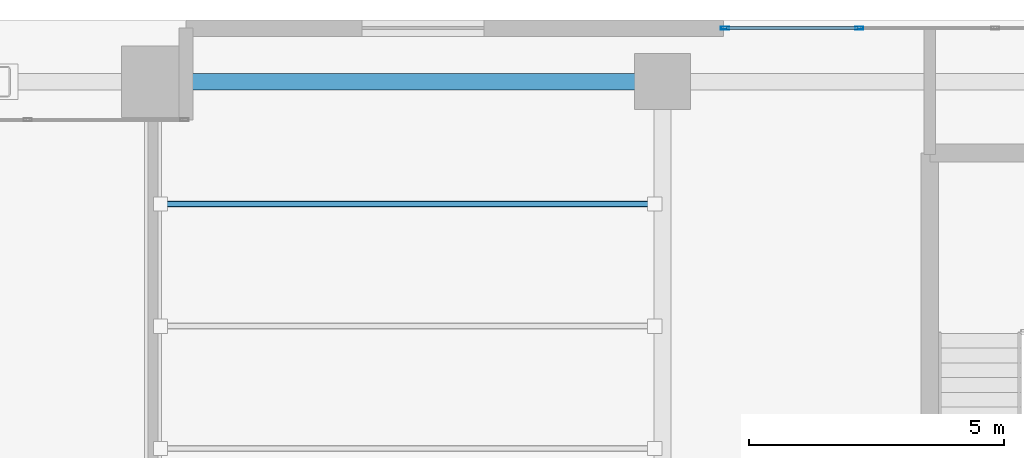
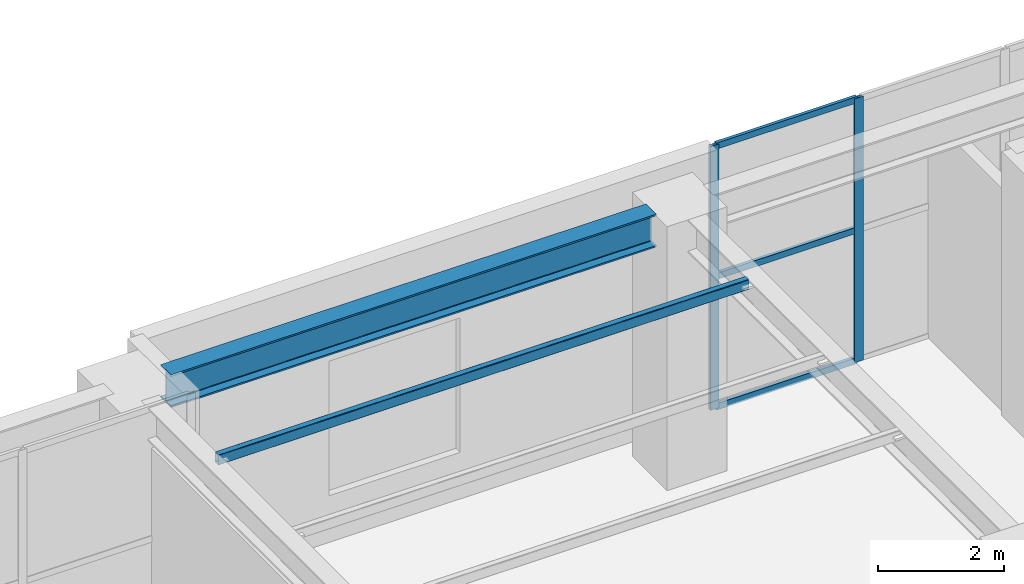
# One storey, part 20 of 32: 6 members, 1 beam, 1 element without a shape of its own.
"""IFC4 building model written with IfcOpenShell, lengths in metres."""

from ifc_helpers import new_model, si_unit, direction, frame, origin, origin_2d, place, context, subcontext, project, spatial, hollow_rectangle, i_section, extrude, material, layer, layer_set, material_profile, profile_set, type_object, element, aggregate, save


model = new_model("IFC4")

# Units and contexts
model_context = context("Model", 3, precision=1e-05, world=origin(), true_north=direction((0.0, 1.0)))
body_context = subcontext(model_context, "Body", "Model", "MODEL_VIEW")
ifc_project = project(units=[si_unit("LENGTHUNIT", "METRE"), si_unit("AREAUNIT", "SQUARE_METRE"), si_unit("VOLUMEUNIT", "CUBIC_METRE"), si_unit("PLANEANGLEUNIT", "RADIAN"), si_unit("MASSUNIT", "GRAM", prefix="KILO")], contexts=[model_context])

# Site, building, storey
site_placement = place(None, origin())
site = spatial("IfcSite", under=ifc_project, at=site_placement, CompositionType="ELEMENT")
building_placement = place(site_placement, origin())
building = spatial("IfcBuilding", under=site, at=building_placement, Name="Sarneth Arch Tower", CompositionType="ELEMENT")
storey_placement = place(building_placement, frame((0.0, 0.0, 11.39990234375)))
storey = spatial("IfcBuildingStorey", under=building, at=storey_placement, Name="L02", CompositionType="ELEMENT", Elevation=11.39990234375)

# Beam
ifc_material_1 = material(Name="Steel S355", Category="steel")
ifc_material_profile_1 = material_profile(ifc_material_1, i_section(OverallWidth=0.3291015625, OverallDepth=0.635009765625, WebThickness=0.017822265625, FlangeThickness=0.031005859375, FilletRadius=0.01904296875, at=origin_2d()), Name="W610x241")
ifc_profile_set_1 = profile_set([ifc_material_profile_1], Name="Steel S355")
beam_type = type_object("IfcBeamType", Name="BM-POD-610", PredefinedType="BEAM", material=ifc_profile_set_1)
beam_placement = place(storey_placement, frame((66.6044921875, 74.800048828125, 4.78271484375), z_axis=(1.0, 0.0, 0.0), x_axis=(0.0, 1.0, 0.0)))
element("IfcBeam", 1, at=beam_placement, inside=storey, type_object=beam_type, Name="L02 Podium PN girder 7", PredefinedType="BEAM", context=body_context, shape_type="SweptSolid", body=[
    extrude(i_section(OverallWidth=0.3291015625, OverallDepth=0.635009765625, WebThickness=0.017822265625, FlangeThickness=0.031005859375, FilletRadius=0.01904296875, at=origin_2d()), origin(), (0.0, 0.0, 1.0), 8.87548828125),
])

# Curtain wall, members
ifc_material_2 = material(Name="Anodised aluminium Type AA25 and solar-control low-e laminated IGU", Category="aluminium")
ifc_layer = layer(ifc_material_2, 0.179931640625)
ifc_layer_set = layer_set([ifc_layer], Name="Anodised aluminium Type AA25 and solar-control low-e laminated IGU")
curtain_wall_type = type_object("IfcCurtainWallType", Name="CW-PODIUM-CHAMF", PredefinedType="NOTDEFINED", material=ifc_layer_set)
curtain_wall_placement = place(storey_placement, origin())
curtain_wall = element("IfcCurtainWall", 2, at=curtain_wall_placement, inside=storey, type_object=curtain_wall_type, Name="L02 Podium bay curtain wall NE", PredefinedType="NOTDEFINED")
ifc_material_3 = material(Name="Anodised Aluminium 6063-T6", Category="aluminium")
ifc_material_profile_2 = material_profile(ifc_material_3, hollow_rectangle(XDim=0.06005859375, YDim=0.159912109375, WallThickness=0.00390625, at=origin_2d()), Name="AL-MULL-160x60x4")
ifc_profile_set_2 = profile_set([ifc_material_profile_2], Name="Anodised Aluminium 6063-T6")
member_type_1 = type_object("IfcMemberType", Name="CW-MULLION", PredefinedType="MULLION", material=ifc_profile_set_2)
member_1_placement = place(storey_placement, frame((79.86669921875, 75.85009765625, 0.0), z_axis=(0.0, 0.0, 1.0), x_axis=(0.0, -1.0, 0.0)))
member_1 = element("IfcMember", 3, at=member_1_placement, type_object=member_type_1, Name="CW-SYS-1 mullion 3", PredefinedType="MULLION", context=body_context, shape_type="SweptSolid", body=[
    extrude(hollow_rectangle(XDim=0.06005859375, YDim=0.159912109375, WallThickness=0.00390625, at=origin_2d()), origin(), (0.0, 0.0, 1.0), 5.10009765625),
])
member_2_placement = place(storey_placement, frame((77.22998046875, 75.85009765625, 0.0), z_axis=(0.0, 0.0, 1.0), x_axis=(0.0, -1.0, 0.0)))
member_2 = element("IfcMember", 4, at=member_2_placement, type_object=member_type_1, Name="CW-SYS-1 mullion 4", PredefinedType="MULLION", context=body_context, shape_type="SweptSolid", body=[
    extrude(hollow_rectangle(XDim=0.06005859375, YDim=0.159912109375, WallThickness=0.00390625, at=origin_2d()), origin(), (0.0, 0.0, 1.0), 5.10009765625),
])
ifc_material_4 = material(Name="Anodised Aluminium 6063-T6", Category="aluminium")
ifc_material_profile_3 = material_profile(ifc_material_4, hollow_rectangle(XDim=0.06005859375, YDim=0.1201171875, WallThickness=0.00390625, at=origin_2d()), Name="AL-TRAN-120x60x4")
ifc_profile_set_3 = profile_set([ifc_material_profile_3], Name="Anodised Aluminium 6063-T6")
member_type_2 = type_object("IfcMemberType", Name="CW-TRANSOM", PredefinedType="USERDEFINED", material=ifc_profile_set_3)
member_3_placement = place(storey_placement, frame((79.836669921875, 75.85009765625, 0.030029296875), z_axis=(-1.0, 0.0, 0.0), x_axis=(0.0, -1.0, 0.0)))
member_3 = element("IfcMember", 5, at=member_3_placement, type_object=member_type_2, Name="CW-SYS-1 transom 3.1", ObjectType="TRANSOM", PredefinedType="USERDEFINED", context=body_context, shape_type="SweptSolid", body=[
    extrude(hollow_rectangle(XDim=0.06005859375, YDim=0.1201171875, WallThickness=0.00390625, at=origin_2d()), origin(), (0.0, 0.0, 1.0), 2.57666015625),
])
member_4_placement = place(storey_placement, frame((79.836669921875, 75.85009765625, 2.550048828125), z_axis=(-1.0, 0.0, 0.0), x_axis=(0.0, -1.0, 0.0)))
member_4 = element("IfcMember", 6, at=member_4_placement, type_object=member_type_2, Name="CW-SYS-1 transom 3.2", ObjectType="TRANSOM", PredefinedType="USERDEFINED", context=body_context, shape_type="SweptSolid", body=[
    extrude(hollow_rectangle(XDim=0.06005859375, YDim=0.1201171875, WallThickness=0.00390625, at=origin_2d()), origin(), (0.0, 0.0, 1.0), 2.57666015625),
])
member_5_placement = place(storey_placement, frame((79.836669921875, 75.85009765625, 5.070068359375), z_axis=(-1.0, 0.0, 0.0), x_axis=(0.0, -1.0, 0.0)))
member_5 = element("IfcMember", 7, at=member_5_placement, type_object=member_type_2, Name="CW-SYS-1 transom 3.3", ObjectType="TRANSOM", PredefinedType="USERDEFINED", context=body_context, shape_type="SweptSolid", body=[
    extrude(hollow_rectangle(XDim=0.06005859375, YDim=0.1201171875, WallThickness=0.00390625, at=origin_2d()), origin(), (0.0, 0.0, 1.0), 2.57666015625),
])
aggregate(curtain_wall, [member_1, member_2, member_3, member_4, member_5])

# Member
ifc_material_5 = material(Name="Steel S355", Category="steel")
ifc_material_profile_4 = material_profile(ifc_material_5, hollow_rectangle(XDim=0.1201171875, YDim=0.199951171875, WallThickness=0.008056640625, InnerFilletRadius=0.011962890625, OuterFilletRadius=0.02001953125, at=origin_2d()), Name="RHS200x120x8")
ifc_profile_set_4 = profile_set([ifc_material_profile_4], Name="Steel S355")
member_type_3 = type_object("IfcMemberType", Name="MEM-PURLIN-200", PredefinedType="PURLIN", material=ifc_profile_set_4)
member_6_placement = place(storey_placement, frame((66.14990234375, 72.39990234375, 5.0), z_axis=(1.0, 0.0, 0.0), x_axis=(0.0, 1.0, 0.0)))
element("IfcMember", 8, at=member_6_placement, inside=storey, type_object=member_type_3, Name="L02 Skylight roof purlin 3.2", PredefinedType="PURLIN", context=body_context, shape_type="SweptSolid", body=[
    extrude(hollow_rectangle(XDim=0.1201171875, YDim=0.199951171875, WallThickness=0.008056640625, InnerFilletRadius=0.011962890625, OuterFilletRadius=0.02001953125, at=origin_2d()), origin(), (0.0, 0.0, 1.0), 9.7001953125),
])

save(model, "model.ifc")
